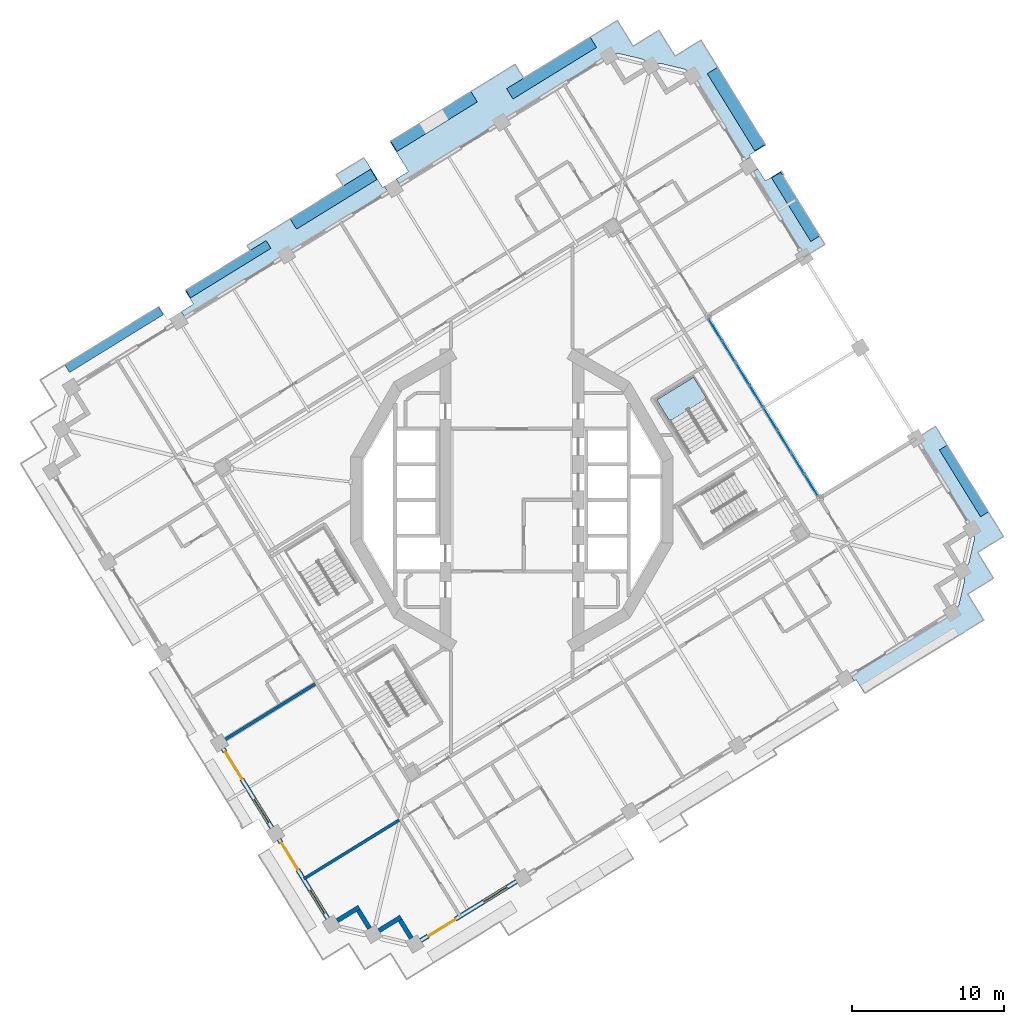
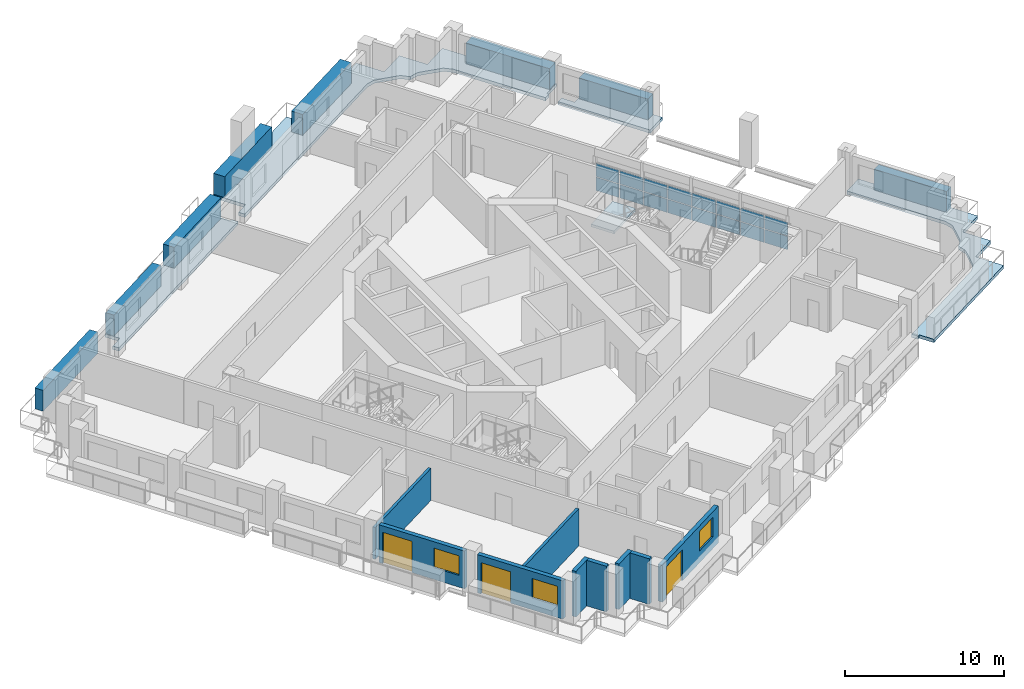
# One storey, part 6 of 21: 24 plates, 9 walls, 5 slabs, 3 doors, 3 windows, 6 openings, 2 elements without a shape of their own.
"""IFC4 building model written with IfcOpenShell, lengths in metres."""

from ifc_helpers import new_model, si_unit, direction, frame, frame_2d, origin, origin_2d, place, context, subcontext, project, spatial, polyline, rectangle, outline, extrude, material, layer, layer_set, type_object, element, fill, aggregate, save


model = new_model("IFC4")

# Units and contexts
model_context = context("Model", 3, precision=1e-05, world=origin(), true_north=direction((0.0, 1.0)))
body_context = subcontext(model_context, "Body", "Model", "MODEL_VIEW")
ifc_project = project(units=[si_unit("LENGTHUNIT", "METRE"), si_unit("AREAUNIT", "SQUARE_METRE"), si_unit("VOLUMEUNIT", "CUBIC_METRE"), si_unit("PLANEANGLEUNIT", "RADIAN"), si_unit("MASSUNIT", "GRAM", prefix="KILO")], contexts=[model_context])

# Site, building, storey
site_placement = place(None, origin())
site = spatial("IfcSite", under=ifc_project, at=site_placement, CompositionType="ELEMENT")
building_placement = place(site_placement, origin())
building = spatial("IfcBuilding", under=site, at=building_placement, Name="Cantera Rosa Tower", CompositionType="ELEMENT")
storey_placement = place(building_placement, frame((0.0, 0.0, 185.60009765625)))
storey = spatial("IfcBuildingStorey", under=building, at=storey_placement, Name="L41", CompositionType="ELEMENT", Elevation=185.60009765625)

# Curtain wall, plates
ifc_material_1 = material(Name="Aluminium frame with clear glass", Category="aluminium")
curtain_wall_type = type_object("IfcCurtainWallType", Name="CW1 TERRACE POCKET GLAZING", PredefinedType="NOTDEFINED", material=ifc_material_1)
curtain_wall_placement = place(storey_placement, origin())
curtain_wall = element("IfcCurtainWall", 1, at=curtain_wall_placement, inside=storey, type_object=curtain_wall_type, Name="CW1 CW1", PredefinedType="NOTDEFINED")
ifc_material_2 = material(Name="Aluminium frame with clear glass", Category="aluminium")
ifc_layer_1 = layer(ifc_material_2, 0.028076171875)
ifc_layer_set_1 = layer_set([ifc_layer_1], Name="CW-PANEL POCKET")
plate_type_1 = type_object("IfcPlateType", Name="CW-PANEL POCKET", PredefinedType="CURTAIN_PANEL", material=ifc_layer_set_1)
plate_1_placement = place(storey_placement, frame((19.726318359375, 0.97265625, 0.059814453125), z_axis=(0.0, 0.0, 1.0), x_axis=(-0.52497658034, 0.851116672434, 0.0)))
plate_1 = element("IfcPlate", 2, at=plate_1_placement, type_object=plate_type_1, Name="CW1 panel 1.1", PredefinedType="CURTAIN_PANEL", context=body_context, shape_type="SweptSolid", body=[
    extrude(rectangle(XDim=1.6337890625, YDim=0.028076171875, at=origin_2d()), origin(), (0.0, 0.0, 1.0), 1.01611328125),
])
plate_2_placement = place(storey_placement, frame((19.726318359375, 0.97265625, 1.1357421875), z_axis=(0.0, 0.0, 1.0), x_axis=(-0.52497658034, 0.851116672434, 0.0)))
plate_2 = element("IfcPlate", 3, at=plate_2_placement, type_object=plate_type_1, Name="CW1 panel 1.2", PredefinedType="CURTAIN_PANEL", context=body_context, shape_type="SweptSolid", body=[
    extrude(rectangle(XDim=1.6337890625, YDim=0.028076171875, at=origin_2d()), origin(), (0.0, 0.0, 1.0), 1.01611328125),
])
plate_3_placement = place(storey_placement, frame((18.829345703125, 2.427001953125, 0.059814453125), z_axis=(0.0, 0.0, 1.0), x_axis=(-0.52497658034, 0.851116672434, 0.0)))
plate_3 = element("IfcPlate", 4, at=plate_3_placement, type_object=plate_type_1, Name="CW1 panel 2.1", PredefinedType="CURTAIN_PANEL", context=body_context, shape_type="SweptSolid", body=[
    extrude(rectangle(XDim=1.663818359375, YDim=0.028076171875, at=origin_2d()), origin(), (0.0, 0.0, 1.0), 1.01611328125),
])
plate_4_placement = place(storey_placement, frame((18.829345703125, 2.427001953125, 1.1357421875), z_axis=(0.0, 0.0, 1.0), x_axis=(-0.52497658034, 0.851116672434, 0.0)))
plate_4 = element("IfcPlate", 5, at=plate_4_placement, type_object=plate_type_1, Name="CW1 panel 2.2", PredefinedType="CURTAIN_PANEL", context=body_context, shape_type="SweptSolid", body=[
    extrude(rectangle(XDim=1.663818359375, YDim=0.028076171875, at=origin_2d()), origin(), (0.0, 0.0, 1.0), 1.01611328125),
])
plate_5_placement = place(storey_placement, frame((17.92431640625, 3.89404296875, 0.059814453125), z_axis=(0.0, 0.0, 1.0), x_axis=(-0.52497658034, 0.851116672434, 0.0)))
plate_5 = element("IfcPlate", 6, at=plate_5_placement, type_object=plate_type_1, Name="CW1 panel 3.1", PredefinedType="CURTAIN_PANEL", context=body_context, shape_type="SweptSolid", body=[
    extrude(rectangle(XDim=1.663818359375, YDim=0.028076171875, at=origin_2d()), origin(), (0.0, 0.0, 1.0), 1.01611328125),
])
plate_6_placement = place(storey_placement, frame((17.92431640625, 3.89404296875, 1.1357421875), z_axis=(0.0, 0.0, 1.0), x_axis=(-0.52497658034, 0.851116672434, 0.0)))
plate_6 = element("IfcPlate", 7, at=plate_6_placement, type_object=plate_type_1, Name="CW1 panel 3.2", PredefinedType="CURTAIN_PANEL", context=body_context, shape_type="SweptSolid", body=[
    extrude(rectangle(XDim=1.663818359375, YDim=0.028076171875, at=origin_2d()), origin(), (0.0, 0.0, 1.0), 1.01611328125),
])
plate_7_placement = place(storey_placement, frame((17.01953125, 5.361083984375, 0.059814453125), z_axis=(0.0, 0.0, 1.0), x_axis=(-0.52497658034, 0.851116672434, 0.0)))
plate_7 = element("IfcPlate", 8, at=plate_7_placement, type_object=plate_type_1, Name="CW1 panel 4.1", PredefinedType="CURTAIN_PANEL", context=body_context, shape_type="SweptSolid", body=[
    extrude(rectangle(XDim=1.663818359375, YDim=0.028076171875, at=origin_2d()), origin(), (0.0, 0.0, 1.0), 1.01611328125),
])
plate_8_placement = place(storey_placement, frame((17.01953125, 5.361083984375, 1.1357421875), z_axis=(0.0, 0.0, 1.0), x_axis=(-0.52497658034, 0.851116672434, 0.0)))
plate_8 = element("IfcPlate", 9, at=plate_8_placement, type_object=plate_type_1, Name="CW1 panel 4.2", PredefinedType="CURTAIN_PANEL", context=body_context, shape_type="SweptSolid", body=[
    extrude(rectangle(XDim=1.663818359375, YDim=0.028076171875, at=origin_2d()), origin(), (0.0, 0.0, 1.0), 1.01611328125),
])
plate_9_placement = place(storey_placement, frame((16.114501953125, 6.828125, 0.059814453125), z_axis=(0.0, 0.0, 1.0), x_axis=(-0.52497658034, 0.851116672434, 0.0)))
plate_9 = element("IfcPlate", 10, at=plate_9_placement, type_object=plate_type_1, Name="CW1 panel 5.1", PredefinedType="CURTAIN_PANEL", context=body_context, shape_type="SweptSolid", body=[
    extrude(rectangle(XDim=1.663818359375, YDim=0.028076171875, at=origin_2d()), origin(), (0.0, 0.0, 1.0), 1.01611328125),
])
plate_10_placement = place(storey_placement, frame((16.114501953125, 6.828125, 1.1357421875), z_axis=(0.0, 0.0, 1.0), x_axis=(-0.52497658034, 0.851116672434, 0.0)))
plate_10 = element("IfcPlate", 11, at=plate_10_placement, type_object=plate_type_1, Name="CW1 panel 5.2", PredefinedType="CURTAIN_PANEL", context=body_context, shape_type="SweptSolid", body=[
    extrude(rectangle(XDim=1.663818359375, YDim=0.028076171875, at=origin_2d()), origin(), (0.0, 0.0, 1.0), 1.01611328125),
])
plate_11_placement = place(storey_placement, frame((15.20947265625, 8.29541015625, 0.059814453125), z_axis=(0.0, 0.0, 1.0), x_axis=(-0.52497658034, 0.851116672434, 0.0)))
plate_11 = element("IfcPlate", 12, at=plate_11_placement, type_object=plate_type_1, Name="CW1 panel 6.1", PredefinedType="CURTAIN_PANEL", context=body_context, shape_type="SweptSolid", body=[
    extrude(rectangle(XDim=1.663818359375, YDim=0.028076171875, at=origin_2d()), origin(), (0.0, 0.0, 1.0), 1.01611328125),
])
plate_12_placement = place(storey_placement, frame((15.20947265625, 8.29541015625, 1.1357421875), z_axis=(0.0, 0.0, 1.0), x_axis=(-0.52497658034, 0.851116672434, 0.0)))
plate_12 = element("IfcPlate", 13, at=plate_12_placement, type_object=plate_type_1, Name="CW1 panel 6.2", PredefinedType="CURTAIN_PANEL", context=body_context, shape_type="SweptSolid", body=[
    extrude(rectangle(XDim=1.663818359375, YDim=0.028076171875, at=origin_2d()), origin(), (0.0, 0.0, 1.0), 1.01611328125),
])
plate_13_placement = place(storey_placement, frame((14.3046875, 9.762451171875, 0.059814453125), z_axis=(0.0, 0.0, 1.0), x_axis=(-0.52497658034, 0.851116672434, 0.0)))
plate_13 = element("IfcPlate", 14, at=plate_13_placement, type_object=plate_type_1, Name="CW1 panel 7.1", PredefinedType="CURTAIN_PANEL", context=body_context, shape_type="SweptSolid", body=[
    extrude(rectangle(XDim=1.663818359375, YDim=0.028076171875, at=origin_2d()), origin(), (0.0, 0.0, 1.0), 1.01611328125),
])
plate_14_placement = place(storey_placement, frame((14.3046875, 9.762451171875, 1.1357421875), z_axis=(0.0, 0.0, 1.0), x_axis=(-0.52497658034, 0.851116672434, 0.0)))
plate_14 = element("IfcPlate", 15, at=plate_14_placement, type_object=plate_type_1, Name="CW1 panel 7.2", PredefinedType="CURTAIN_PANEL", context=body_context, shape_type="SweptSolid", body=[
    extrude(rectangle(XDim=1.663818359375, YDim=0.028076171875, at=origin_2d()), origin(), (0.0, 0.0, 1.0), 1.01611328125),
])
plate_15_placement = place(storey_placement, frame((13.40771484375, 11.216796875, 0.059814453125), z_axis=(0.0, 0.0, 1.0), x_axis=(-0.52497658034, 0.851116672434, 0.0)))
plate_15 = element("IfcPlate", 16, at=plate_15_placement, type_object=plate_type_1, Name="CW1 panel 8.1", PredefinedType="CURTAIN_PANEL", context=body_context, shape_type="SweptSolid", body=[
    extrude(rectangle(XDim=1.6337890625, YDim=0.028076171875, at=origin_2d()), origin(), (0.0, 0.0, 1.0), 1.01611328125),
])
plate_16_placement = place(storey_placement, frame((13.40771484375, 11.216796875, 1.1357421875), z_axis=(0.0, 0.0, 1.0), x_axis=(-0.52497658034, 0.851116672434, 0.0)))
plate_16 = element("IfcPlate", 17, at=plate_16_placement, type_object=plate_type_1, Name="CW1 panel 8.2", PredefinedType="CURTAIN_PANEL", context=body_context, shape_type="SweptSolid", body=[
    extrude(rectangle(XDim=1.6337890625, YDim=0.028076171875, at=origin_2d()), origin(), (0.0, 0.0, 1.0), 1.01611328125),
])
aggregate(curtain_wall, [plate_1, plate_2, plate_3, plate_4, plate_5, plate_6, plate_7, plate_8, plate_9, plate_10, plate_11, plate_12, plate_13, plate_14, plate_15, plate_16])

# Slabs
ifc_material_3 = material(Name="Concrete C35/45", Category="concrete")
ifc_layer_2 = layer(ifc_material_3, 0.25)
ifc_layer_set_2 = layer_set([ifc_layer_2], Name="LOGGIA SLAB 250 C35/45")
slab_type_1 = type_object("IfcSlabType", Name="LOGGIA SLAB 250 C35/45", PredefinedType="FLOOR", material=ifc_layer_set_2)
slab_1_placement = place(storey_placement, frame((0.0, 0.0, -0.25)))
element("IfcSlab", 18, at=slab_1_placement, inside=storey, type_object=slab_type_1, Name="LOGGIA SLAB L41 3", PredefinedType="FLOOR", context=body_context, shape_type="SweptSolid", body=[
    extrude(outline(polyline([(-17.45361328125, 16.773681640625), (-11.119384765625, 20.6806640625), (-11.580322265625, 21.427978515625), (-9.736083984375, 22.565673828125), (-8.51953125, 20.593505859375), (-8.391845703125, 20.672119140625), (-8.155517578125, 20.289306640625), (-21.55224609375, 12.026123046875), (-21.788330078125, 12.4091796875), (-20.97998046875, 12.90771484375), (-21.531005859375, 13.801513671875), (-21.446044921875, 13.85400390625), (-17.249267578125, 16.442626953125), (-17.45361328125, 16.773681640625)])), origin(), (0.0, 0.0, 1.0), 0.25),
])
slab_2_placement = place(storey_placement, frame((0.0, 0.0, -0.25)))
element("IfcSlab", 19, at=slab_2_placement, inside=storey, type_object=slab_type_1, Name="LOGGIA SLAB L41 5", PredefinedType="FLOOR", context=body_context, shape_type="SweptSolid", body=[
    extrude(outline(polyline([(5.49755859375, 30.7080078125), (6.9443359375, 31.600341796875), (7.8369140625, 30.153564453125), (7.994384765625, 29.898193359375), (8.249755859375, 30.0556640625), (9.696533203125, 30.9482421875), (10.589111328125, 29.501220703125), (10.74658203125, 29.245849609375), (11.001953125, 29.4033203125), (12.44873046875, 30.2958984375), (13.34130859375, 28.84912109375), (16.711669921875, 23.384765625), (15.647705078125, 22.728515625), (15.7265625, 22.600830078125), (15.343505859375, 22.36474609375), (11.894287109375, 27.95654296875), (11.4736328125, 28.328125), (11.45068359375, 28.346435546875), (11.426025390625, 28.362548828125), (11.39990234375, 28.376220703125), (11.37255859375, 28.386962890625), (11.34423828125, 28.395263671875), (9.83056640625, 28.75390625), (9.801513671875, 28.75927734375), (9.772216796875, 28.76171875), (9.742919921875, 28.761474609375), (9.713623046875, 28.75830078125), (9.684814453125, 28.752197265625), (9.14208984375, 28.60888671875), (8.721435546875, 28.98046875), (8.698486328125, 28.998779296875), (8.673828125, 29.014892578125), (8.647705078125, 29.0283203125), (8.620361328125, 29.039306640625), (8.592041015625, 29.047607421875), (7.078369140625, 29.40625), (7.049560546875, 29.41162109375), (7.02001953125, 29.4140625), (6.99072265625, 29.413818359375), (6.96142578125, 29.410400390625), (6.9326171875, 29.404296875), (6.389892578125, 29.260986328125), (-7.3896484375, 20.76171875), (-7.625732421875, 21.144775390625), (-6.8173828125, 21.643310546875), (-8.03369140625, 23.615478515625), (0.211181640625, 28.701171875), (0.771484375, 27.79296875), (5.49755859375, 30.7080078125)])), origin(), (0.0, 0.0, 1.0), 0.25),
])
slab_3_placement = place(storey_placement, frame((0.0, 0.0, -0.25)))
element("IfcSlab", 20, at=slab_3_placement, inside=storey, type_object=slab_type_1, Name="LOGGIA SLAB L41 7", PredefinedType="FLOOR", context=body_context, shape_type="SweptSolid", body=[
    extrude(outline(polyline([(20.627197265625, 16.846923828125), (19.264892578125, 16.0068359375), (15.81591796875, 21.5986328125), (16.198974609375, 21.8349609375), (16.69775390625, 21.0263671875), (17.76171875, 21.6826171875), (17.9189453125, 21.42724609375), (17.834228515625, 21.375), (20.627197265625, 16.846923828125)])), origin(), (0.0, 0.0, 1.0), 0.25),
])
slab_4_placement = place(storey_placement, frame((0.0, 0.0, -0.25)))
element("IfcSlab", 21, at=slab_4_placement, inside=storey, type_object=slab_type_1, Name="LOGGIA SLAB L41 8", PredefinedType="FLOOR", context=body_context, shape_type="SweptSolid", body=[
    extrude(outline(polyline([(31.59765625, -1.130126953125), (32.38525390625, -2.406982421875), (31.1083984375, -3.1943359375), (30.682861328125, -3.456787109375), (30.9453125, -3.88232421875), (31.73291015625, -5.1591796875), (30.456298828125, -5.946533203125), (30.03076171875, -6.208984375), (30.293212890625, -6.634521484375), (31.08056640625, -7.911376953125), (29.803955078125, -8.69873046875), (23.999267578125, -12.279052734375), (23.2333984375, -12.75146484375), (22.68212890625, -11.85791015625), (22.554443359375, -11.9365234375), (22.318115234375, -11.5537109375), (28.18212890625, -7.9365234375), (29.0166015625, -7.422119140625), (29.38818359375, -7.00146484375), (29.406494140625, -6.978515625), (29.422607421875, -6.953857421875), (29.43603515625, -6.927490234375), (29.447021484375, -6.900390625), (29.455078125, -6.8720703125), (29.81396484375, -5.3583984375), (29.8193359375, -5.329345703125), (29.82177734375, -5.300048828125), (29.8212890625, -5.2705078125), (29.818115234375, -5.2412109375), (29.81201171875, -5.21240234375), (29.668701171875, -4.669921875), (30.040283203125, -4.249267578125), (30.05859375, -4.226318359375), (30.07470703125, -4.20166015625), (30.08837890625, -4.17529296875), (30.09912109375, -4.148193359375), (30.107421875, -4.119873046875), (30.46630859375, -2.606201171875), (30.4716796875, -2.5771484375), (30.47412109375, -2.5478515625), (30.4736328125, -2.518310546875), (30.470458984375, -2.489013671875), (30.46435546875, -2.460205078125), (30.321044921875, -1.917724609375), (26.6357421875, 4.05712890625), (27.912353515625, 4.844482421875), (28.69970703125, 3.568115234375), (31.59765625, -1.130126953125)])), origin(), (0.0, 0.0, 1.0), 0.25),
])

# Plates
ifc_material_4 = material(Name="Cantera stone planter with soil", Category="masonry")
plate_type_2 = type_object("IfcPlateType", Name="PLANTER 600", PredefinedType="USERDEFINED", material=ifc_material_4)
plate_17_placement = place(storey_placement, frame((29.775390625, 1.2529296875, -0.000244140625), z_axis=(0.0, 0.0, 1.0), x_axis=(-0.52497658034, 0.851116672434, 0.0)))
element("IfcPlate", 22, at=plate_17_placement, inside=storey, type_object=plate_type_2, Name="PLANTER L41-01", ObjectType="PLANTER", PredefinedType="USERDEFINED", context=body_context, shape_type="SweptSolid", body=[
    extrude(rectangle(XDim=5.169921875, YDim=0.60009765625, at=origin_2d()), origin(), (0.0, 0.0, 1.0), 1.60009765625),
])
plate_18_placement = place(storey_placement, frame((-18.68408203125, 15.205078125, -0.000244140625), z_axis=(0.0, 0.0, 1.0), x_axis=(-0.851116672434, -0.52497658034, 0.0)))
element("IfcPlate", 23, at=plate_18_placement, inside=storey, type_object=plate_type_2, Name="PLANTER L41-09", ObjectType="PLANTER", PredefinedType="USERDEFINED", context=body_context, shape_type="SweptSolid", body=[
    extrude(rectangle(XDim=6.219970703125, YDim=0.60009765625, at=origin_2d()), origin(), (0.0, 0.0, 1.0), 1.60009765625),
])
plate_19_placement = place(storey_placement, frame((-26.212158203125, 10.561767578125, -0.000244140625), z_axis=(0.0, 0.0, 1.0), x_axis=(-0.851116672434, -0.52497658034, 0.0)))
element("IfcPlate", 24, at=plate_19_placement, inside=storey, type_object=plate_type_2, Name="PLANTER L41-10", ObjectType="PLANTER", PredefinedType="USERDEFINED", context=body_context, shape_type="SweptSolid", body=[
    extrude(rectangle(XDim=7.27001953125, YDim=0.60009765625, at=origin_2d()), origin(), (0.0, 0.0, 1.0), 1.60009765625),
])
ifc_material_5 = material(Name="Cantera stone planter with soil", Category="masonry")
plate_type_3 = type_object("IfcPlateType", Name="PLANTER 700", PredefinedType="USERDEFINED", material=ifc_material_5)
plate_20_placement = place(storey_placement, frame((18.696533203125, 19.310302734375, -0.000244140625), z_axis=(0.0, 0.0, 1.0), x_axis=(-0.52497658034, 0.851116672434, 0.0)))
element("IfcPlate", 25, at=plate_20_placement, inside=storey, type_object=plate_type_3, Name="PLANTER L41-04", ObjectType="PLANTER", PredefinedType="USERDEFINED", context=body_context, shape_type="SweptSolid", body=[
    extrude(rectangle(XDim=4.919921875, YDim=0.699951171875, at=origin_2d()), origin(), (0.0, 0.0, 1.0), 1.60009765625),
])
ifc_material_6 = material(Name="Cantera stone planter with soil", Category="masonry")
plate_type_4 = type_object("IfcPlateType", Name="PLANTER 800", PredefinedType="USERDEFINED", material=ifc_material_6)
plate_21_placement = place(storey_placement, frame((14.77783203125, 25.758056640625, -0.000244140625), z_axis=(0.0, 0.0, 1.0), x_axis=(-0.52497658034, 0.851116672434, 0.0)))
element("IfcPlate", 26, at=plate_21_placement, inside=storey, type_object=plate_type_4, Name="PLANTER L41-05", ObjectType="PLANTER", PredefinedType="USERDEFINED", context=body_context, shape_type="SweptSolid", body=[
    extrude(rectangle(XDim=5.969970703125, YDim=0.800048828125, at=origin_2d()), origin(), (0.0, 0.0, 1.0), 1.60009765625),
])
plate_22_placement = place(storey_placement, frame((2.61376953125, 28.459228515625, -0.000244140625), z_axis=(0.0, 0.0, 1.0), x_axis=(-0.851116672434, -0.52497658034, 0.0)))
element("IfcPlate", 27, at=plate_22_placement, inside=storey, type_object=plate_type_4, Name="PLANTER L41-06", ObjectType="PLANTER", PredefinedType="USERDEFINED", context=body_context, shape_type="SweptSolid", body=[
    extrude(rectangle(XDim=6.469970703125, YDim=0.800048828125, at=origin_2d()), origin(), (0.0, 0.0, 1.0), 1.60009765625),
])
for number, where, z_axis, x_axis, name in (
    (28, (-5.13427734375, 24.93408203125, -0.000244140625), (0.0, 0.0, 1.0), (-0.851116672434, -0.52497658034, 0.0), "PLANTER L41-07"),
    (29, (-11.754638671875, 19.81884765625, -0.000244140625), (0.0, 0.0, 1.0), (-0.851116672434, -0.52497658034, 0.0), "PLANTER L41-08"),
):
    element("IfcPlate", number, at=place(storey_placement, frame(where, z_axis=z_axis, x_axis=x_axis)), inside=storey, type_object=plate_type_4, Name=name, ObjectType="PLANTER", PredefinedType="USERDEFINED", context=body_context, shape_type="SweptSolid", body=[
        extrude(rectangle(XDim=6.219970703125, YDim=0.800048828125, at=origin_2d()), origin(), (0.0, 0.0, 1.0), 1.60009765625),
    ])

# Stair, slab
ifc_material_7 = material(Name="Concrete C35/45", Category="concrete")
stair_type = type_object("IfcStairType", Name="EXIT STAIR 1350 DOGLEG", PredefinedType="HALF_TURN_STAIR", material=ifc_material_7)
stair_placement = place(storey_placement, origin())
stair = element("IfcStair", 30, at=stair_placement, inside=storey, type_object=stair_type, Name="L41 ST-31", PredefinedType="HALF_TURN_STAIR")
ifc_material_8 = material(Name="Concrete C35/45", Category="concrete")
ifc_layer_3 = layer(ifc_material_8, 0.199951171875)
ifc_layer_set_3 = layer_set([ifc_layer_3], Name="STAIR LANDING 200")
slab_type_2 = type_object("IfcSlabType", Name="STAIR LANDING 200", PredefinedType="LANDING", material=ifc_layer_set_3)
slab_5_placement = place(storey_placement, frame((0.0, 0.0, 1.699951171875)))
slab_5 = element("IfcSlab", 31, at=slab_5_placement, type_object=slab_type_2, Name="ST-31 landing 1", PredefinedType="LANDING", context=body_context, shape_type="SweptSolid", body=[
    extrude(outline(polyline([(12.8310546875, 6.691162109375), (11.96923828125, 8.088623046875), (9.54345703125, 6.592529296875), (10.405517578125, 5.19482421875), (12.8310546875, 6.691162109375)])), origin(), (0.0, 0.0, 1.0), 0.199951171875),
])
aggregate(stair, [slab_5])

# Walls
ifc_material_9 = material(Name="Hollow clay masonry with cantera stone cladding", Category="masonry")
ifc_layer_4 = layer(ifc_material_9, 0.300048828125)
ifc_layer_set_4 = layer_set([ifc_layer_4], Name="EW-LOGGIA 300")
wall_type_1 = type_object("IfcWallType", Name="EW-LOGGIA 300", PredefinedType="SOLIDWALL", material=ifc_layer_set_4)
wall_1_placement = place(storey_placement, frame((-11.51123046875, -27.72021484375, 0.0), z_axis=(0.0, 0.0, 1.0), x_axis=(0.851130227454, 0.524954603669, 0.0)))
element("IfcWall", 32, at=wall_1_placement, inside=storey, type_object=wall_type_1, Name="EN-L41-W20a", PredefinedType="SOLIDWALL", context=body_context, shape_type="SweptSolid", body=[
    extrude(rectangle(XDim=1.699951171875, YDim=0.300048828125, at=frame_2d((0.85009765625, 0.0))), origin(), (0.0, 0.0, 1.0), 3.5),
])
wall_2_placement = place(storey_placement, frame((-10.11328125, -27.0341796875, 0.0), z_axis=(0.0, 0.0, 1.0), x_axis=(0.524895019961, -0.85116697423, 0.0)))
element("IfcWall", 33, at=wall_2_placement, inside=storey, type_object=wall_type_1, Name="EN-L41-W20b", PredefinedType="SOLIDWALL", context=body_context, shape_type="SweptSolid", body=[
    extrude(rectangle(XDim=1.39990234375, YDim=0.300048828125, at=frame_2d((0.699951171875, 0.0))), origin(), (0.0, 0.0, 1.0), 3.5),
])
wall_3_placement = place(storey_placement, frame((-8.75927734375, -28.37255859375, 0.0), z_axis=(0.0, 0.0, 1.0), x_axis=(0.851105638601, 0.524994468487, 0.0)))
element("IfcWall", 34, at=wall_3_placement, inside=storey, type_object=wall_type_1, Name="EN-L41-W21a", PredefinedType="SOLIDWALL", context=body_context, shape_type="SweptSolid", body=[
    extrude(rectangle(XDim=1.7001953125, YDim=0.300048828125, at=frame_2d((0.85009765625, 0.0))), origin(), (0.0, 0.0, 1.0), 3.5),
])
wall_4_placement = place(storey_placement, frame((-7.361083984375, -27.6865234375, 0.0), z_axis=(0.0, 0.0, 1.0), x_axis=(0.524895019961, -0.85116697423, 0.0)))
element("IfcWall", 35, at=wall_4_placement, inside=storey, type_object=wall_type_1, Name="EN-L41-W21b", PredefinedType="SOLIDWALL", context=body_context, shape_type="SweptSolid", body=[
    extrude(rectangle(XDim=1.39990234375, YDim=0.300048828125, at=frame_2d((0.699951171875, 0.0))), origin(), (0.0, 0.0, 1.0), 3.5),
])

# Wall, openings, window, door
ifc_material_10 = material(Name="Hollow clay masonry with cantera stone cladding", Category="masonry")
ifc_layer_5 = layer(ifc_material_10, 0.300048828125)
ifc_layer_set_5 = layer_set([ifc_layer_5], Name="EW-LOGGIA 300 H2820")
wall_type_2 = type_object("IfcWallType", Name="EW-LOGGIA 300 H2820", PredefinedType="SOLIDWALL", material=ifc_layer_set_5)
wall_5_placement = place(storey_placement, frame((-6.007080078125, -29.02490234375, 0.0), z_axis=(0.0, 0.0, 1.0), x_axis=(0.851111085575, 0.524985637909, 0.0)))
wall_5 = element("IfcWall", 36, at=wall_5_placement, inside=storey, type_object=wall_type_2, Name="EN-L41-W22", PredefinedType="SOLIDWALL", context=body_context, shape_type="SweptSolid", body=[
    extrude(rectangle(XDim=7.420166015625, YDim=0.300048828125, at=frame_2d((3.7099609375, 0.0))), origin(), (0.0, 0.0, 1.0), 2.81982421875),
])
opening_1_placement = place(wall_5_placement, frame((0.580078125, 0.0, 0.0)))
opening_1 = element("IfcOpeningElement", 37, at=opening_1_placement, cuts=wall_5, Name="Opening L41-TD27", PredefinedType="OPENING", context=body_context, shape_type="SweptSolid", body=[
    extrude(rectangle(XDim=2.10009765625, YDim=2.39990234375, at=frame_2d((1.050048828125, 1.199951171875))), frame((0.0, 0.159912109375, 0.0), z_axis=(0.0, -1.0, 0.0), x_axis=(1.0, 0.0, 0.0)), (0.0, 0.0, 1.0), 0.320068359375),
])
opening_2_placement = place(wall_5_placement, frame((4.889892578125, 0.0, 0.89990234375)))
opening_2 = element("IfcOpeningElement", 38, at=opening_2_placement, cuts=wall_5, Name="Opening L41-W28", PredefinedType="OPENING", context=body_context, shape_type="SweptSolid", body=[
    extrude(rectangle(XDim=1.800048828125, YDim=1.5, at=frame_2d((0.89990234375, 0.75))), frame((0.0, 0.159912109375, 0.0), z_axis=(0.0, -1.0, 0.0), x_axis=(1.0, 0.0, 0.0)), (0.0, 0.0, 1.0), 0.320068359375),
])
ifc_material_11 = material(Name="Aluminium frame with clear glass", Category="aluminium")
window_type = type_object("IfcWindowType", Name="Hotel room window 1800x1500", PartitioningType="DOUBLE_PANEL_VERTICAL", PredefinedType="WINDOW", material=ifc_material_11)
window_1_placement = place(opening_2_placement, origin())
window_1 = element("IfcWindow", 39, at=window_1_placement, inside=storey, type_object=window_type, Name="WINDOW L41-W28", OverallHeight=1.5, OverallWidth=1.800048828125, PartitioningType="SINGLE_PANEL", PredefinedType="WINDOW", context=body_context, shape_type="SweptSolid", body=[
    extrude(rectangle(XDim=1.800048828125, YDim=1.5, at=frame_2d((0.89990234375, 0.75))), frame((0.0, 0.030029296875, 0.0), z_axis=(0.0, -1.0, 0.0), x_axis=(1.0, 0.0, 0.0)), (0.0, 0.0, 1.0), 0.06005859375),
])
fill(opening_2, window_1)
ifc_material_12 = material(Name="Aluminium frame with clear glass", Category="aluminium")
door_type = type_object("IfcDoorType", Name="TD-H 2100x2400", OperationType="NOTDEFINED", PredefinedType="DOOR", material=ifc_material_12)
door_1_placement = place(opening_1_placement, origin())
door_1 = element("IfcDoor", 40, at=door_1_placement, inside=storey, type_object=door_type, Name="LOGGIA DOOR L41-TD27", OperationType="SLIDING_TO_LEFT", OverallHeight=2.39990234375, OverallWidth=2.10009765625, PredefinedType="DOOR", context=body_context, shape_type="SweptSolid", body=[
    extrude(rectangle(XDim=2.10009765625, YDim=2.39990234375, at=frame_2d((1.050048828125, 1.199951171875))), frame((0.0, 0.02490234375, 0.0), z_axis=(0.0, -1.0, 0.0), x_axis=(1.0, 0.0, 0.0)), (0.0, 0.0, 1.0), 0.050048828125),
])
fill(opening_1, door_1)

ifc_material_13 = material(Name="Hollow clay masonry with cantera stone cladding", Category="masonry")
ifc_layer_6 = layer(ifc_material_13, 0.300048828125)
ifc_layer_set_6 = layer_set([ifc_layer_6], Name="EW-LOGGIA 300 H2890")
wall_type_3 = type_object("IfcWallType", Name="EW-LOGGIA 300 H2890", PredefinedType="SOLIDWALL", material=ifc_layer_set_6)
wall_6_placement = place(storey_placement, frame((-19.02880859375, -16.389892578125, 0.0), z_axis=(0.0, 0.0, 1.0), x_axis=(0.524987447654, -0.851109969279, 0.0)))
wall_6 = element("IfcWall", 41, at=wall_6_placement, inside=storey, type_object=wall_type_3, Name="EN-L41-W18", PredefinedType="SOLIDWALL", context=body_context, shape_type="SweptSolid", body=[
    extrude(rectangle(XDim=6.119873046875, YDim=0.300048828125, at=frame_2d((3.06005859375, 0.0))), origin(), (0.0, 0.0, 1.0), 2.889892578125),
])
opening_3_placement = place(wall_6_placement, frame((0.2548828125, 0.0, 0.0)))
opening_3 = element("IfcOpeningElement", 42, at=opening_3_placement, cuts=wall_6, Name="Opening L41-TD23", PredefinedType="OPENING", context=body_context, shape_type="SweptSolid", body=[
    extrude(rectangle(XDim=2.10009765625, YDim=2.39990234375, at=frame_2d((1.050048828125, 1.199951171875))), frame((0.0, 0.159912109375, 0.0), z_axis=(0.0, -1.0, 0.0), x_axis=(1.0, 0.0, 0.0)), (0.0, 0.0, 1.0), 0.320068359375),
])
opening_4_placement = place(wall_6_placement, frame((3.9150390625, 0.0, 0.89990234375)))
opening_4 = element("IfcOpeningElement", 43, at=opening_4_placement, cuts=wall_6, Name="Opening L41-W24", PredefinedType="OPENING", context=body_context, shape_type="SweptSolid", body=[
    extrude(rectangle(XDim=1.800048828125, YDim=1.5, at=frame_2d((0.89990234375, 0.75))), frame((0.0, 0.159912109375, 0.0), z_axis=(0.0, -1.0, 0.0), x_axis=(1.0, 0.0, 0.0)), (0.0, 0.0, 1.0), 0.320068359375),
])
window_2_placement = place(opening_4_placement, origin())
window_2 = element("IfcWindow", 44, at=window_2_placement, inside=storey, type_object=window_type, Name="WINDOW L41-W24", OverallHeight=1.5, OverallWidth=1.800048828125, PartitioningType="SINGLE_PANEL", PredefinedType="WINDOW", context=body_context, shape_type="SweptSolid", body=[
    extrude(rectangle(XDim=1.800048828125, YDim=1.5, at=frame_2d((0.89990234375, 0.75))), frame((0.0, 0.030029296875, 0.0), z_axis=(0.0, -1.0, 0.0), x_axis=(1.0, 0.0, 0.0)), (0.0, 0.0, 1.0), 0.06005859375),
])
fill(opening_4, window_2)
door_2_placement = place(opening_3_placement, origin())
door_2 = element("IfcDoor", 45, at=door_2_placement, inside=storey, type_object=door_type, Name="LOGGIA DOOR L41-TD23", OperationType="SLIDING_TO_LEFT", OverallHeight=2.39990234375, OverallWidth=2.10009765625, PredefinedType="DOOR", context=body_context, shape_type="SweptSolid", body=[
    extrude(rectangle(XDim=2.10009765625, YDim=2.39990234375, at=frame_2d((1.050048828125, 1.199951171875))), frame((0.0, 0.02490234375, 0.0), z_axis=(0.0, -1.0, 0.0), x_axis=(1.0, 0.0, 0.0)), (0.0, 0.0, 1.0), 0.050048828125),
])
fill(opening_3, door_2)

ifc_material_14 = material(Name="Hollow clay masonry with cantera stone cladding", Category="masonry")
ifc_layer_7 = layer(ifc_material_14, 0.300048828125)
ifc_layer_set_7 = layer_set([ifc_layer_7], Name="EW-LOGGIA 300 H2940")
wall_type_4 = type_object("IfcWallType", Name="EW-LOGGIA 300 H2940", PredefinedType="SOLIDWALL", material=ifc_layer_set_7)
wall_7_placement = place(storey_placement, frame((-15.343505859375, -22.36474609375, 0.0), z_axis=(0.0, 0.0, 1.0), x_axis=(0.524987447654, -0.851109969279, 0.0)))
wall_7 = element("IfcWall", 46, at=wall_7_placement, inside=storey, type_object=wall_type_4, Name="EN-L41-W19", PredefinedType="SOLIDWALL", context=body_context, shape_type="SweptSolid", body=[
    extrude(rectangle(XDim=6.119873046875, YDim=0.300048828125, at=frame_2d((3.06005859375, 0.0))), origin(), (0.0, 0.0, 1.0), 2.93994140625),
])
opening_5_placement = place(wall_7_placement, frame((0.2548828125, 0.0, 0.0)))
opening_5 = element("IfcOpeningElement", 47, at=opening_5_placement, cuts=wall_7, Name="Opening L41-TD25", PredefinedType="OPENING", context=body_context, shape_type="SweptSolid", body=[
    extrude(rectangle(XDim=2.10009765625, YDim=2.39990234375, at=frame_2d((1.050048828125, 1.199951171875))), frame((0.0, 0.159912109375, 0.0), z_axis=(0.0, -1.0, 0.0), x_axis=(1.0, 0.0, 0.0)), (0.0, 0.0, 1.0), 0.320068359375),
])
opening_6_placement = place(wall_7_placement, frame((3.9150390625, 0.0, 0.89990234375)))
opening_6 = element("IfcOpeningElement", 48, at=opening_6_placement, cuts=wall_7, Name="Opening L41-W26", PredefinedType="OPENING", context=body_context, shape_type="SweptSolid", body=[
    extrude(rectangle(XDim=1.800048828125, YDim=1.5, at=frame_2d((0.89990234375, 0.75))), frame((0.0, 0.159912109375, 0.0), z_axis=(0.0, -1.0, 0.0), x_axis=(1.0, 0.0, 0.0)), (0.0, 0.0, 1.0), 0.320068359375),
])
window_3_placement = place(opening_6_placement, origin())
window_3 = element("IfcWindow", 49, at=window_3_placement, inside=storey, type_object=window_type, Name="WINDOW L41-W26", OverallHeight=1.5, OverallWidth=1.800048828125, PartitioningType="SINGLE_PANEL", PredefinedType="WINDOW", context=body_context, shape_type="SweptSolid", body=[
    extrude(rectangle(XDim=1.800048828125, YDim=1.5, at=frame_2d((0.89990234375, 0.75))), frame((0.0, 0.030029296875, 0.0), z_axis=(0.0, -1.0, 0.0), x_axis=(1.0, 0.0, 0.0)), (0.0, 0.0, 1.0), 0.06005859375),
])
fill(opening_6, window_3)
door_3_placement = place(opening_5_placement, origin())
door_3 = element("IfcDoor", 50, at=door_3_placement, inside=storey, type_object=door_type, Name="LOGGIA DOOR L41-TD25", OperationType="SLIDING_TO_LEFT", OverallHeight=2.39990234375, OverallWidth=2.10009765625, PredefinedType="DOOR", context=body_context, shape_type="SweptSolid", body=[
    extrude(rectangle(XDim=2.10009765625, YDim=2.39990234375, at=frame_2d((1.050048828125, 1.199951171875))), frame((0.0, 0.02490234375, 0.0), z_axis=(0.0, -1.0, 0.0), x_axis=(1.0, 0.0, 0.0)), (0.0, 0.0, 1.0), 0.050048828125),
])
fill(opening_5, door_3)

# Walls
ifc_material_15 = material(Name="Gypsum board partition")
ifc_layer_8 = layer(ifc_material_15, 0.199951171875)
ifc_layer_set_8 = layer_set([ifc_layer_8], Name="PARTY WALL 200 H2450")
wall_type_5 = type_object("IfcWallType", Name="PARTY WALL 200 H2450", PredefinedType="PARTITIONING", material=ifc_layer_set_8)
wall_8_placement = place(storey_placement, frame((-12.966796875, -12.1220703125, 0.0), z_axis=(0.0, 0.0, 1.0), x_axis=(-0.851111911821, -0.52498429839, 0.0)))
element("IfcWall", 51, at=wall_8_placement, inside=storey, type_object=wall_type_5, Name="PARTY WALL L41-016", PredefinedType="PARTITIONING", context=body_context, shape_type="SweptSolid", body=[
    extrude(rectangle(XDim=7.3701171875, YDim=0.199951171875, at=frame_2d((3.68505859375, 0.0))), origin(), (0.0, 0.0, 1.0), 2.449951171875),
])
ifc_material_16 = material(Name="Gypsum board partition")
ifc_layer_9 = layer(ifc_material_16, 0.199951171875)
ifc_layer_set_9 = layer_set([ifc_layer_9], Name="PARTY WALL 200 H2850")
wall_type_6 = type_object("IfcWallType", Name="PARTY WALL 200 H2850", PredefinedType="PARTITIONING", material=ifc_layer_set_9)
wall_9_placement = place(storey_placement, frame((-13.706298828125, -24.9619140625, 0.0), z_axis=(0.0, 0.0, 1.0), x_axis=(0.851111911821, 0.52498429839, 0.0)))
element("IfcWall", 52, at=wall_9_placement, inside=storey, type_object=wall_type_6, Name="PARTY WALL L41-015", PredefinedType="PARTITIONING", context=body_context, shape_type="SweptSolid", body=[
    extrude(rectangle(XDim=7.3701171875, YDim=0.199951171875, at=frame_2d((3.68505859375, 0.0))), origin(), (0.0, 0.0, 1.0), 2.849853515625),
])

save(model, "model.ifc")
